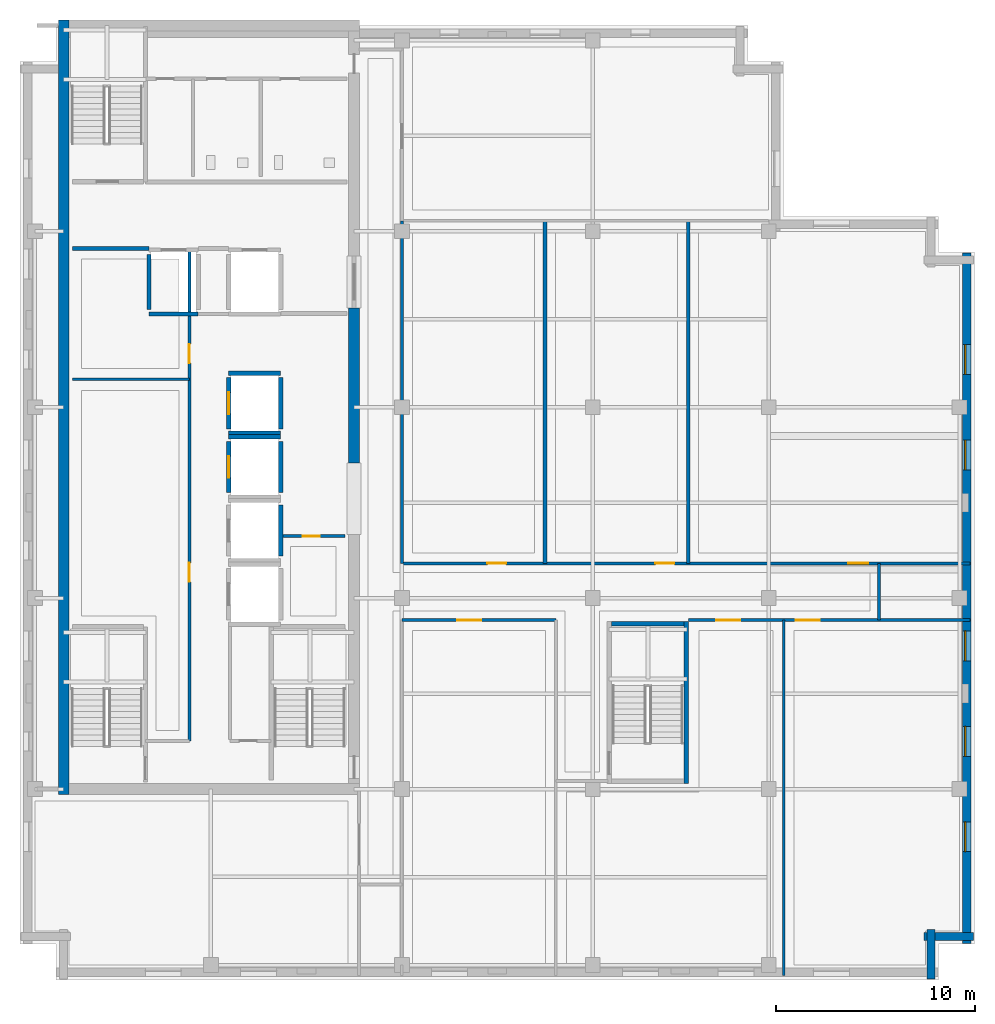
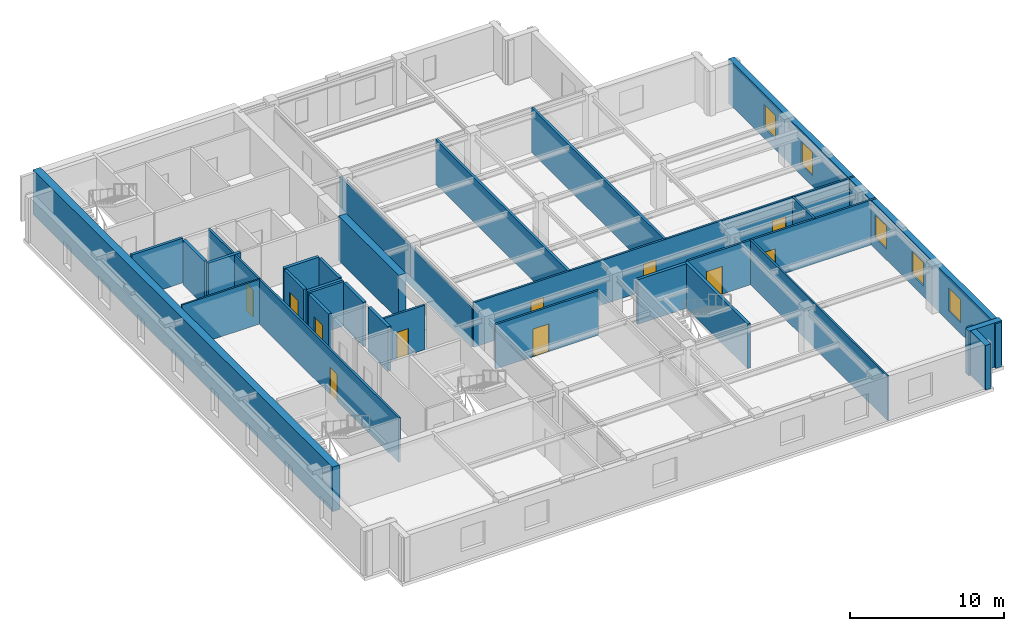
# One storey, part 4 of 10: 29 walls, 11 doors, 5 windows, 16 openings.
"""IFC4 building model written with IfcOpenShell, lengths in metres."""

from ifc_helpers import new_model, si_unit, direction, frame, frame_2d, origin, place, context, subcontext, project, spatial, rectangle, extrude, material, layer, layer_set, type_object, element, fill, save


model = new_model("IFC4")

# Units and contexts
model_context = context("Model", 3, precision=1e-05, world=origin(), true_north=direction((0.0, 1.0)))
body_context = subcontext(model_context, "Body", "Model", "MODEL_VIEW")
ifc_project = project(units=[si_unit("LENGTHUNIT", "METRE"), si_unit("AREAUNIT", "SQUARE_METRE"), si_unit("VOLUMEUNIT", "CUBIC_METRE"), si_unit("PLANEANGLEUNIT", "RADIAN"), si_unit("MASSUNIT", "GRAM", prefix="KILO")], contexts=[model_context])

# Site, building, storey
site_placement = place(None, origin())
site = spatial("IfcSite", under=ifc_project, at=site_placement, CompositionType="ELEMENT")
building_placement = place(site_placement, origin())
building = spatial("IfcBuilding", under=site, at=building_placement, Name="Norrvale University Quadrangle", CompositionType="ELEMENT")
storey_placement = place(building_placement, frame((0.0, 0.0, 273.39990234375)))
storey = spatial("IfcBuildingStorey", under=building, at=storey_placement, Name="L69", CompositionType="ELEMENT", Elevation=273.39990234375)

# Walls
ifc_material_1 = material(Name="Buff Norman Clay Brick Masonry", Category="masonry")
ifc_layer_1 = layer(ifc_material_1, 0.419921875, Name="Buff Norman Clay Brick Masonry")
ifc_layer_set_1 = layer_set([ifc_layer_1], Name="Buff Norman Clay Brick Masonry")
wall_type_1 = type_object("IfcWallType", Name="Wall Buff Brick 420", PredefinedType="SOLIDWALL", material=ifc_layer_set_1)
for number, where, z_axis, x_axis, name in (
    (1, (45.81005859375, 0.0400390625, 0.0), (0.0, 0.0, 1.0), (0.0, 1.0, 0.0), "Exterior Brick Facade Wall L69-02.1"),
    (2, (45.4599609375, 2.18994140625, 0.0), (0.0, 0.0, 1.0), (1.0, 0.0, 0.0), "Exterior Brick Facade Wall L69-03.1"),
):
    element("IfcWall", number, at=place(storey_placement, frame(where, z_axis=z_axis, x_axis=x_axis)), inside=storey, type_object=wall_type_1, Name=name, PredefinedType="SOLIDWALL", context=body_context, shape_type="SweptSolid", body=[
        extrude(rectangle(XDim=2.5, YDim=0.419921875, at=frame_2d((1.25, 0.0))), origin(), (0.0, 0.0, 1.0), 3.5400390625),
    ])

# Wall, openings, windows
wall_1_placement = place(storey_placement, frame((47.610107421875, 1.840087890625, 0.0), z_axis=(0.0, 0.0, 1.0), x_axis=(0.0, 1.0, 0.0)))
wall_1 = element("IfcWall", 3, at=wall_1_placement, inside=storey, type_object=wall_type_1, Name="Exterior Brick Facade Wall L69-04.1", PredefinedType="SOLIDWALL", context=body_context, shape_type="SweptSolid", body=[
    extrude(rectangle(XDim=34.719970703125, YDim=0.419921875, at=frame_2d((17.35986328125, 0.0))), origin(), (0.0, 0.0, 1.0), 3.5400390625),
])
opening_1_placement = place(wall_1_placement, frame((4.610107421875, 0.0, 0.85009765625)))
opening_1 = element("IfcOpeningElement", 4, at=opening_1_placement, cuts=wall_1, Name="Opening W03", PredefinedType="OPENING", context=body_context, shape_type="SweptSolid", body=[
    extrude(rectangle(XDim=1.5, YDim=1.85009765625, at=frame_2d((0.75, 0.925048828125))), frame((0.0, 0.221923828125, 0.0), z_axis=(0.0, -1.0, 0.0), x_axis=(1.0, 0.0, 0.0)), (0.0, 0.0, 1.0), 0.44384765625),
])
opening_2_placement = place(wall_1_placement, frame((9.409912109375, 0.0, 0.85009765625)))
opening_2 = element("IfcOpeningElement", 5, at=opening_2_placement, cuts=wall_1, Name="Opening W03", PredefinedType="OPENING", context=body_context, shape_type="SweptSolid", body=[
    extrude(rectangle(XDim=1.5, YDim=1.85009765625, at=frame_2d((0.75, 0.925048828125))), frame((0.0, 0.221923828125, 0.0), z_axis=(0.0, -1.0, 0.0), x_axis=(1.0, 0.0, 0.0)), (0.0, 0.0, 1.0), 0.44384765625),
])
opening_3_placement = place(wall_1_placement, frame((14.2099609375, 0.0, 0.85009765625)))
opening_3 = element("IfcOpeningElement", 6, at=opening_3_placement, cuts=wall_1, Name="Opening W03", PredefinedType="OPENING", context=body_context, shape_type="SweptSolid", body=[
    extrude(rectangle(XDim=1.5, YDim=1.85009765625, at=frame_2d((0.75, 0.925048828125))), frame((0.0, 0.221923828125, 0.0), z_axis=(0.0, -1.0, 0.0), x_axis=(1.0, 0.0, 0.0)), (0.0, 0.0, 1.0), 0.44384765625),
])
opening_4_placement = place(wall_1_placement, frame((23.81005859375, 0.0, 0.85009765625)))
opening_4 = element("IfcOpeningElement", 7, at=opening_4_placement, cuts=wall_1, Name="Opening W03", PredefinedType="OPENING", context=body_context, shape_type="SweptSolid", body=[
    extrude(rectangle(XDim=1.5, YDim=1.85009765625, at=frame_2d((0.75, 0.925048828125))), frame((0.0, 0.221923828125, 0.0), z_axis=(0.0, -1.0, 0.0), x_axis=(1.0, 0.0, 0.0)), (0.0, 0.0, 1.0), 0.44384765625),
])
opening_5_placement = place(wall_1_placement, frame((28.610107421875, 0.0, 0.85009765625)))
opening_5 = element("IfcOpeningElement", 8, at=opening_5_placement, cuts=wall_1, Name="Opening W03", PredefinedType="OPENING", context=body_context, shape_type="SweptSolid", body=[
    extrude(rectangle(XDim=1.5, YDim=1.85009765625, at=frame_2d((0.75, 0.925048828125))), frame((0.0, 0.221923828125, 0.0), z_axis=(0.0, -1.0, 0.0), x_axis=(1.0, 0.0, 0.0)), (0.0, 0.0, 1.0), 0.44384765625),
])
ifc_material_2 = material(Name="Triple Low-E Argon Glazing", Category="glass")
window_type = type_object("IfcWindowType", Name="Window Studio 1500x2300", PartitioningType="DOUBLE_PANEL_VERTICAL", PredefinedType="WINDOW", material=ifc_material_2)
window_1_placement = place(opening_1_placement, origin())
window_1 = element("IfcWindow", 9, at=window_1_placement, inside=storey, type_object=window_type, Name="Window Studio 1500x2300 WIN-L69-E04-1-01", OverallHeight=1.85009765625, OverallWidth=1.5, PartitioningType="DOUBLE_PANEL_VERTICAL", PredefinedType="WINDOW", context=body_context, shape_type="SweptSolid", body=[
    extrude(rectangle(XDim=1.5, YDim=1.85009765625, at=frame_2d((0.75, 0.925048828125))), frame((0.0, 0.110107421875, 0.0), z_axis=(0.0, -1.0, 0.0), x_axis=(1.0, 0.0, 0.0)), (0.0, 0.0, 1.0), 0.06005859375),
])
fill(opening_1, window_1)
window_2_placement = place(opening_2_placement, origin())
window_2 = element("IfcWindow", 10, at=window_2_placement, inside=storey, type_object=window_type, Name="Window Studio 1500x2300 WIN-L69-E04-1-02", OverallHeight=1.85009765625, OverallWidth=1.5, PartitioningType="DOUBLE_PANEL_VERTICAL", PredefinedType="WINDOW", context=body_context, shape_type="SweptSolid", body=[
    extrude(rectangle(XDim=1.5, YDim=1.85009765625, at=frame_2d((0.75, 0.925048828125))), frame((0.0, 0.110107421875, 0.0), z_axis=(0.0, -1.0, 0.0), x_axis=(1.0, 0.0, 0.0)), (0.0, 0.0, 1.0), 0.06005859375),
])
fill(opening_2, window_2)
window_3_placement = place(opening_3_placement, origin())
window_3 = element("IfcWindow", 11, at=window_3_placement, inside=storey, type_object=window_type, Name="Window Studio 1500x2300 WIN-L69-E04-1-03", OverallHeight=1.85009765625, OverallWidth=1.5, PartitioningType="DOUBLE_PANEL_VERTICAL", PredefinedType="WINDOW", context=body_context, shape_type="SweptSolid", body=[
    extrude(rectangle(XDim=1.5, YDim=1.85009765625, at=frame_2d((0.75, 0.925048828125))), frame((0.0, 0.110107421875, 0.0), z_axis=(0.0, -1.0, 0.0), x_axis=(1.0, 0.0, 0.0)), (0.0, 0.0, 1.0), 0.06005859375),
])
fill(opening_3, window_3)
window_4_placement = place(opening_4_placement, origin())
window_4 = element("IfcWindow", 12, at=window_4_placement, inside=storey, type_object=window_type, Name="Window Studio 1500x2300 WIN-L69-E04-1-04", OverallHeight=1.85009765625, OverallWidth=1.5, PartitioningType="DOUBLE_PANEL_VERTICAL", PredefinedType="WINDOW", context=body_context, shape_type="SweptSolid", body=[
    extrude(rectangle(XDim=1.5, YDim=1.85009765625, at=frame_2d((0.75, 0.925048828125))), frame((0.0, 0.110107421875, 0.0), z_axis=(0.0, -1.0, 0.0), x_axis=(1.0, 0.0, 0.0)), (0.0, 0.0, 1.0), 0.06005859375),
])
fill(opening_4, window_4)
window_5_placement = place(opening_5_placement, origin())
window_5 = element("IfcWindow", 13, at=window_5_placement, inside=storey, type_object=window_type, Name="Window Studio 1500x2300 WIN-L69-E04-1-05", OverallHeight=1.85009765625, OverallWidth=1.5, PartitioningType="DOUBLE_PANEL_VERTICAL", PredefinedType="WINDOW", context=body_context, shape_type="SweptSolid", body=[
    extrude(rectangle(XDim=1.5, YDim=1.85009765625, at=frame_2d((0.75, 0.925048828125))), frame((0.0, 0.110107421875, 0.0), z_axis=(0.0, -1.0, 0.0), x_axis=(1.0, 0.0, 0.0)), (0.0, 0.0, 1.0), 0.06005859375),
])
fill(opening_5, window_5)

# Walls
ifc_material_3 = material(Name="Concrete C60/75", Category="concrete")
ifc_layer_2 = layer(ifc_material_3, 0.550048828125, Name="Concrete C60/75")
ifc_layer_set_2 = layer_set([ifc_layer_2], Name="Concrete C60/75")
wall_type_2 = type_object("IfcWallType", Name="Wall Core 550", PredefinedType="SHEAR", material=ifc_layer_set_2)
wall_2_placement = place(storey_placement, frame((2.199951171875, 9.324951171875, 0.0), z_axis=(0.0, 0.0, 1.0), x_axis=(0.0, 1.0, 0.0)))
element("IfcWall", 14, at=wall_2_placement, inside=storey, type_object=wall_type_2, Name="Tower Core Shear Wall L69-W", PredefinedType="SHEAR", context=body_context, shape_type="SweptSolid", body=[
    extrude(rectangle(XDim=38.949951171875, YDim=0.550048828125, at=frame_2d((19.47509765625, 0.0))), origin(), (0.0, 0.0, 1.0), 3.5400390625),
])
wall_3_placement = place(storey_placement, frame((16.800048828125, 26.0, 0.0), z_axis=(0.0, 0.0, 1.0), x_axis=(0.0, 1.0, 0.0)))
element("IfcWall", 15, at=wall_3_placement, inside=storey, type_object=wall_type_2, Name="Tower Core Shear Wall L69-E2", PredefinedType="SHEAR", context=body_context, shape_type="SweptSolid", body=[
    extrude(rectangle(XDim=7.800048828125, YDim=0.550048828125, at=frame_2d((3.89990234375, 0.0))), origin(), (0.0, 0.0, 1.0), 3.5400390625),
])
ifc_material_4 = material(Name="Standard Academic Gypsum Partition")
ifc_layer_3 = layer(ifc_material_4, 0.125, Name="Standard Academic Gypsum Partition")
ifc_layer_set_3 = layer_set([ifc_layer_3], Name="Standard Academic Gypsum Partition")
wall_type_3 = type_object("IfcWallType", Name="Wall Gypsum Academic 125", PredefinedType="PARTITIONING", material=ifc_layer_set_3)
wall_4_placement = place(storey_placement, frame((2.64990234375, 30.199951171875, 0.0), z_axis=(0.0, 0.0, 1.0), x_axis=(1.0, 0.0, 0.0)))
element("IfcWall", 16, at=wall_4_placement, inside=storey, type_object=wall_type_3, Name="Interior Partition WL-L69-REC-M", PredefinedType="PARTITIONING", context=body_context, shape_type="SweptSolid", body=[
    extrude(rectangle(XDim=5.8701171875, YDim=0.125, at=frame_2d((2.93505859375, 0.0))), origin(), (0.0, 0.0, 1.0), 3.5400390625),
])
wall_5_placement = place(storey_placement, frame((38.39990234375, 0.219970703125, 0.0), z_axis=(0.0, 0.0, 1.0), x_axis=(0.0, 1.0, 0.0)))
element("IfcWall", 17, at=wall_5_placement, inside=storey, type_object=wall_type_3, Name="Interior Partition WL-L69-SEP2", PredefinedType="PARTITIONING", context=body_context, shape_type="SweptSolid", body=[
    extrude(rectangle(XDim=17.880126953125, YDim=0.125, at=frame_2d((8.93994140625, 0.0))), origin(), (0.0, 0.0, 1.0), 3.5400390625),
])

# Wall, opening, door
ifc_material_5 = material(Name="Fire-Rated Gypsum Stud Partition")
ifc_layer_4 = layer(ifc_material_5, 0.14990234375, Name="Fire-Rated Gypsum Stud Partition")
ifc_layer_set_4 = layer_set([ifc_layer_4], Name="Fire-Rated Gypsum Stud Partition")
wall_type_4 = type_object("IfcWallType", Name="Wall Gypsum Corridor 150", PredefinedType="PARTITIONING", material=ifc_layer_set_4)
wall_6_placement = place(storey_placement, frame((13.22509765625, 22.320068359375, 0.0), z_axis=(0.0, 0.0, 1.0), x_axis=(1.0, 0.0, 0.0)))
wall_6 = element("IfcWall", 18, at=wall_6_placement, inside=storey, type_object=wall_type_4, Name="Interior Partition WL-L69-JAN-N", PredefinedType="PARTITIONING", context=body_context, shape_type="SweptSolid", body=[
    extrude(rectangle(XDim=3.119873046875, YDim=0.14990234375, at=frame_2d((1.56005859375, 0.0))), origin(), (0.0, 0.0, 1.0), 3.5400390625),
])
opening_6_placement = place(wall_6_placement, frame((1.0, 0.0, 0.0)))
opening_6 = element("IfcOpeningElement", 19, at=opening_6_placement, cuts=wall_6, Name="Opening D10", PredefinedType="OPENING", context=body_context, shape_type="SweptSolid", body=[
    extrude(rectangle(XDim=0.85009765625, YDim=2.10009765625, at=frame_2d((0.425048828125, 1.050048828125))), frame((0.0, 0.0869140625, 0.0), z_axis=(0.0, -1.0, 0.0), x_axis=(1.0, 0.0, 0.0)), (0.0, 0.0, 1.0), 0.173828125),
])
ifc_material_6 = material(Name="Hollow Steel 350W Riser Fire Door", Category="steel")
door_type_1 = type_object("IfcDoorType", Name="Door Riser 850x2100", OperationType="NOTDEFINED", PredefinedType="DOOR", material=ifc_material_6)
door_1_placement = place(opening_6_placement, origin())
door_1 = element("IfcDoor", 20, at=door_1_placement, inside=storey, type_object=door_type_1, Name="Door Riser 850x2100 DR-L69-JAN", OperationType="SINGLE_SWING_LEFT", OverallHeight=2.10009765625, OverallWidth=0.85009765625, PredefinedType="DOOR", context=body_context, shape_type="SweptSolid", body=[
    extrude(rectangle(XDim=0.85009765625, YDim=2.10009765625, at=frame_2d((0.425048828125, 1.050048828125))), frame((0.0, 0.02490234375, 0.0), z_axis=(0.0, -1.0, 0.0), x_axis=(1.0, 0.0, 0.0)), (0.0, 0.0, 1.0), 0.050048828125),
])
fill(opening_6, door_1)

# Wall, openings, doors
wall_7_placement = place(storey_placement, frame((8.52001953125, 12.02001953125, 0.0), z_axis=(0.0, 0.0, 1.0), x_axis=(0.0, 1.0, 0.0)))
wall_7 = element("IfcWall", 21, at=wall_7_placement, inside=storey, type_object=wall_type_4, Name="Interior Partition WL-L69-REC-E", PredefinedType="PARTITIONING", context=body_context, shape_type="SweptSolid", body=[
    extrude(rectangle(XDim=24.760009765625, YDim=0.14990234375, at=frame_2d((12.3798828125, 0.0))), origin(), (0.0, 0.0, 1.0), 3.5400390625),
])
opening_7_placement = place(wall_7_placement, frame((8.0, 0.0, 0.0)))
opening_7 = element("IfcOpeningElement", 22, at=opening_7_placement, cuts=wall_7, Name="Opening D07", PredefinedType="OPENING", context=body_context, shape_type="SweptSolid", body=[
    extrude(rectangle(XDim=0.949951171875, YDim=2.14990234375, at=frame_2d((0.47509765625, 1.074951171875))), frame((0.0, 0.0869140625, 0.0), z_axis=(0.0, -1.0, 0.0), x_axis=(1.0, 0.0, 0.0)), (0.0, 0.0, 1.0), 0.173828125),
])
opening_8_placement = place(wall_7_placement, frame((19.0, 0.0, 0.0)))
opening_8 = element("IfcOpeningElement", 23, at=opening_8_placement, cuts=wall_7, Name="Opening D07", PredefinedType="OPENING", context=body_context, shape_type="SweptSolid", body=[
    extrude(rectangle(XDim=0.949951171875, YDim=2.14990234375, at=frame_2d((0.47509765625, 1.074951171875))), frame((0.0, 0.0869140625, 0.0), z_axis=(0.0, -1.0, 0.0), x_axis=(1.0, 0.0, 0.0)), (0.0, 0.0, 1.0), 0.173828125),
])
ifc_material_7 = material(Name="Solid-Core Maple Door", Category="wood")
door_type_2 = type_object("IfcDoorType", Name="Door Office 950x2150", OperationType="NOTDEFINED", PredefinedType="DOOR", material=ifc_material_7)
door_2_placement = place(opening_7_placement, origin())
door_2 = element("IfcDoor", 24, at=door_2_placement, inside=storey, type_object=door_type_2, Name="Door Office 950x2150 DR-L69-REC1", OperationType="SINGLE_SWING_LEFT", OverallHeight=2.14990234375, OverallWidth=0.949951171875, PredefinedType="DOOR", context=body_context, shape_type="SweptSolid", body=[
    extrude(rectangle(XDim=0.949951171875, YDim=2.14990234375, at=frame_2d((0.47509765625, 1.074951171875))), frame((0.0, 0.02490234375, 0.0), z_axis=(0.0, -1.0, 0.0), x_axis=(1.0, 0.0, 0.0)), (0.0, 0.0, 1.0), 0.050048828125),
])
fill(opening_7, door_2)
door_3_placement = place(opening_8_placement, origin())
door_3 = element("IfcDoor", 25, at=door_3_placement, inside=storey, type_object=door_type_2, Name="Door Office 950x2150 DR-L69-REC2", OperationType="SINGLE_SWING_RIGHT", OverallHeight=2.14990234375, OverallWidth=0.949951171875, PredefinedType="DOOR", context=body_context, shape_type="SweptSolid", body=[
    extrude(rectangle(XDim=0.949951171875, YDim=2.14990234375, at=frame_2d((0.47509765625, 1.074951171875))), frame((0.0, 0.02490234375, 0.0), z_axis=(0.0, -1.0, 0.0), x_axis=(1.0, 0.0, 0.0)), (0.0, 0.0, 1.0), 0.050048828125),
])
fill(opening_8, door_3)

# Wall
wall_8_placement = place(storey_placement, frame((43.199951171875, 18.10009765625, 0.0), z_axis=(0.0, 0.0, 1.0), x_axis=(0.0, 1.0, 0.0)))
element("IfcWall", 26, at=wall_8_placement, inside=storey, type_object=wall_type_4, Name="Interior Partition WL-L69-CESP-E", PredefinedType="PARTITIONING", context=body_context, shape_type="SweptSolid", body=[
    extrude(rectangle(XDim=2.849853515625, YDim=0.14990234375, at=frame_2d((1.4248046875, 0.0))), origin(), (0.0, 0.0, 1.0), 3.5400390625),
])

# Wall, opening, door
wall_9_placement = place(storey_placement, frame((19.199951171875, 18.10009765625, 0.0), z_axis=(0.0, 0.0, 1.0), x_axis=(1.0, 0.0, 0.0)))
wall_9 = element("IfcWall", 27, at=wall_9_placement, inside=storey, type_object=wall_type_4, Name="Interior Partition WL-L69-SEW1", PredefinedType="PARTITIONING", context=body_context, shape_type="SweptSolid", body=[
    extrude(rectangle(XDim=7.75, YDim=0.14990234375, at=frame_2d((3.875, 0.0))), origin(), (0.0, 0.0, 1.0), 3.5400390625),
])
opening_9_placement = place(wall_9_placement, frame((2.800048828125, 0.0, 0.0)))
opening_9 = element("IfcOpeningElement", 28, at=opening_9_placement, cuts=wall_9, Name="Opening D05", PredefinedType="OPENING", context=body_context, shape_type="SweptSolid", body=[
    extrude(rectangle(XDim=1.199951171875, YDim=2.199951171875, at=frame_2d((0.60009765625, 1.10009765625))), frame((0.0, 0.0869140625, 0.0), z_axis=(0.0, -1.0, 0.0), x_axis=(1.0, 0.0, 0.0)), (0.0, 0.0, 1.0), 0.173828125),
])
ifc_material_8 = material(Name="Acoustic Oak Classroom Door", Category="wood")
door_type_3 = type_object("IfcDoorType", Name="Door Classroom 1200x2200", OperationType="NOTDEFINED", PredefinedType="DOOR", material=ifc_material_8)
door_4_placement = place(opening_9_placement, origin())
door_4 = element("IfcDoor", 29, at=door_4_placement, inside=storey, type_object=door_type_3, Name="Door Classroom 1200x2200 DR-L69-SE1", OperationType="SINGLE_SWING_LEFT", OverallHeight=2.199951171875, OverallWidth=1.199951171875, PredefinedType="DOOR", context=body_context, shape_type="SweptSolid", body=[
    extrude(rectangle(XDim=1.199951171875, YDim=2.199951171875, at=frame_2d((0.60009765625, 1.10009765625))), frame((0.0, 0.02490234375, 0.0), z_axis=(0.0, -1.0, 0.0), x_axis=(1.0, 0.0, 0.0)), (0.0, 0.0, 1.0), 0.050048828125),
])
fill(opening_9, door_4)

# Wall, openings, doors
wall_10_placement = place(storey_placement, frame((33.6201171875, 18.10009765625, 0.0), z_axis=(0.0, 0.0, 1.0), x_axis=(1.0, 0.0, 0.0)))
wall_10 = element("IfcWall", 30, at=wall_10_placement, inside=storey, type_object=wall_type_4, Name="Interior Partition WL-L69-SEW2", PredefinedType="PARTITIONING", context=body_context, shape_type="SweptSolid", body=[
    extrude(rectangle(XDim=14.159912109375, YDim=0.14990234375, at=frame_2d((7.080078125, 0.0))), origin(), (0.0, 0.0, 1.0), 3.5400390625),
])
opening_10_placement = place(wall_10_placement, frame((1.39990234375, 0.0, 0.0)))
opening_10 = element("IfcOpeningElement", 31, at=opening_10_placement, cuts=wall_10, Name="Opening D05", PredefinedType="OPENING", context=body_context, shape_type="SweptSolid", body=[
    extrude(rectangle(XDim=1.199951171875, YDim=2.199951171875, at=frame_2d((0.60009765625, 1.10009765625))), frame((0.0, 0.0869140625, 0.0), z_axis=(0.0, -1.0, 0.0), x_axis=(1.0, 0.0, 0.0)), (0.0, 0.0, 1.0), 0.173828125),
])
opening_11_placement = place(wall_10_placement, frame((5.39990234375, 0.0, 0.0)))
opening_11 = element("IfcOpeningElement", 32, at=opening_11_placement, cuts=wall_10, Name="Opening D05", PredefinedType="OPENING", context=body_context, shape_type="SweptSolid", body=[
    extrude(rectangle(XDim=1.199951171875, YDim=2.199951171875, at=frame_2d((0.60009765625, 1.10009765625))), frame((0.0, 0.0869140625, 0.0), z_axis=(0.0, -1.0, 0.0), x_axis=(1.0, 0.0, 0.0)), (0.0, 0.0, 1.0), 0.173828125),
])
door_5_placement = place(opening_10_placement, origin())
door_5 = element("IfcDoor", 33, at=door_5_placement, inside=storey, type_object=door_type_3, Name="Door Classroom 1200x2200 DR-L69-SE2", OperationType="SINGLE_SWING_RIGHT", OverallHeight=2.199951171875, OverallWidth=1.199951171875, PredefinedType="DOOR", context=body_context, shape_type="SweptSolid", body=[
    extrude(rectangle(XDim=1.199951171875, YDim=2.199951171875, at=frame_2d((0.60009765625, 1.10009765625))), frame((0.0, 0.02490234375, 0.0), z_axis=(0.0, -1.0, 0.0), x_axis=(1.0, 0.0, 0.0)), (0.0, 0.0, 1.0), 0.050048828125),
])
fill(opening_10, door_5)
door_6_placement = place(opening_11_placement, origin())
door_6 = element("IfcDoor", 34, at=door_6_placement, inside=storey, type_object=door_type_3, Name="Door Classroom 1200x2200 DR-L69-SE3", OperationType="SINGLE_SWING_LEFT", OverallHeight=2.199951171875, OverallWidth=1.199951171875, PredefinedType="DOOR", context=body_context, shape_type="SweptSolid", body=[
    extrude(rectangle(XDim=1.199951171875, YDim=2.199951171875, at=frame_2d((0.60009765625, 1.10009765625))), frame((0.0, 0.02490234375, 0.0), z_axis=(0.0, -1.0, 0.0), x_axis=(1.0, 0.0, 0.0)), (0.0, 0.0, 1.0), 0.050048828125),
])
fill(opening_11, door_6)

wall_11_placement = place(storey_placement, frame((19.199951171875, 20.949951171875, 0.0), z_axis=(0.0, 0.0, 1.0), x_axis=(1.0, 0.0, 0.0)))
wall_11 = element("IfcWall", 35, at=wall_11_placement, inside=storey, type_object=wall_type_4, Name="Interior Partition WL-L69-MECW", PredefinedType="PARTITIONING", context=body_context, shape_type="SweptSolid", body=[
    extrude(rectangle(XDim=28.580078125, YDim=0.14990234375, at=frame_2d((14.2900390625, 0.0))), origin(), (0.0, 0.0, 1.0), 3.5400390625),
])
opening_12_placement = place(wall_11_placement, frame((4.300048828125, 0.0, 0.0)))
opening_12 = element("IfcOpeningElement", 36, at=opening_12_placement, cuts=wall_11, Name="Opening D07", PredefinedType="OPENING", context=body_context, shape_type="SweptSolid", body=[
    extrude(rectangle(XDim=0.949951171875, YDim=2.14990234375, at=frame_2d((0.47509765625, 1.074951171875))), frame((0.0, 0.0869140625, 0.0), z_axis=(0.0, -1.0, 0.0), x_axis=(1.0, 0.0, 0.0)), (0.0, 0.0, 1.0), 0.173828125),
])
opening_13_placement = place(wall_11_placement, frame((12.75, 0.0, 0.0)))
opening_13 = element("IfcOpeningElement", 37, at=opening_13_placement, cuts=wall_11, Name="Opening D07", PredefinedType="OPENING", context=body_context, shape_type="SweptSolid", body=[
    extrude(rectangle(XDim=0.949951171875, YDim=2.14990234375, at=frame_2d((0.47509765625, 1.074951171875))), frame((0.0, 0.0869140625, 0.0), z_axis=(0.0, -1.0, 0.0), x_axis=(1.0, 0.0, 0.0)), (0.0, 0.0, 1.0), 0.173828125),
])
opening_14_placement = place(wall_11_placement, frame((22.449951171875, 0.0, 0.0)))
opening_14 = element("IfcOpeningElement", 38, at=opening_14_placement, cuts=wall_11, Name="Opening D04", PredefinedType="OPENING", context=body_context, shape_type="SweptSolid", body=[
    extrude(rectangle(XDim=1.0, YDim=2.199951171875, at=frame_2d((0.5, 1.10009765625))), frame((0.0, 0.0869140625, 0.0), z_axis=(0.0, -1.0, 0.0), x_axis=(1.0, 0.0, 0.0)), (0.0, 0.0, 1.0), 0.173828125),
])
ifc_material_9 = material(Name="Solid-Core Oak Fire Door", Category="wood")
door_type_4 = type_object("IfcDoorType", Name="Door Corridor 1000x2200", OperationType="NOTDEFINED", PredefinedType="DOOR", material=ifc_material_9)
door_7_placement = place(opening_14_placement, origin())
door_7 = element("IfcDoor", 39, at=door_7_placement, inside=storey, type_object=door_type_4, Name="Door Corridor 1000x2200 DR-L69-ME03", OperationType="SINGLE_SWING_LEFT", OverallHeight=2.199951171875, OverallWidth=1.0, PredefinedType="DOOR", context=body_context, shape_type="SweptSolid", body=[
    extrude(rectangle(XDim=1.0, YDim=2.199951171875, at=frame_2d((0.5, 1.10009765625))), frame((0.0, 0.02490234375, 0.0), z_axis=(0.0, -1.0, 0.0), x_axis=(1.0, 0.0, 0.0)), (0.0, 0.0, 1.0), 0.050048828125),
])
fill(opening_14, door_7)
door_8_placement = place(opening_12_placement, origin())
door_8 = element("IfcDoor", 40, at=door_8_placement, inside=storey, type_object=door_type_2, Name="Door Office 950x2150 DR-L69-ME01", OperationType="SINGLE_SWING_LEFT", OverallHeight=2.14990234375, OverallWidth=0.949951171875, PredefinedType="DOOR", context=body_context, shape_type="SweptSolid", body=[
    extrude(rectangle(XDim=0.949951171875, YDim=2.14990234375, at=frame_2d((0.47509765625, 1.074951171875))), frame((0.0, 0.02490234375, 0.0), z_axis=(0.0, -1.0, 0.0), x_axis=(1.0, 0.0, 0.0)), (0.0, 0.0, 1.0), 0.050048828125),
])
fill(opening_12, door_8)
door_9_placement = place(opening_13_placement, origin())
door_9 = element("IfcDoor", 41, at=door_9_placement, inside=storey, type_object=door_type_2, Name="Door Office 950x2150 DR-L69-ME02", OperationType="SINGLE_SWING_RIGHT", OverallHeight=2.14990234375, OverallWidth=0.949951171875, PredefinedType="DOOR", context=body_context, shape_type="SweptSolid", body=[
    extrude(rectangle(XDim=0.949951171875, YDim=2.14990234375, at=frame_2d((0.47509765625, 1.074951171875))), frame((0.0, 0.02490234375, 0.0), z_axis=(0.0, -1.0, 0.0), x_axis=(1.0, 0.0, 0.0)), (0.0, 0.0, 1.0), 0.050048828125),
])
fill(opening_13, door_9)

# Walls
wall_12_placement = place(storey_placement, frame((19.199951171875, 20.949951171875, 0.0), z_axis=(0.0, 0.0, 1.0), x_axis=(0.0, 1.0, 0.0)))
element("IfcWall", 42, at=wall_12_placement, inside=storey, type_object=wall_type_4, Name="Interior Partition WL-L69-ME-W", PredefinedType="PARTITIONING", context=body_context, shape_type="SweptSolid", body=[
    extrude(rectangle(XDim=17.22998046875, YDim=0.14990234375, at=frame_2d((8.614990234375, 0.0))), origin(), (0.0, 0.0, 1.0), 3.123046875),
])
ifc_material_10 = material(Name="Acoustic Double-Stud Gypsum Partition")
ifc_layer_5 = layer(ifc_material_10, 0.179931640625, Name="Acoustic Double-Stud Gypsum Partition")
ifc_layer_set_5 = layer_set([ifc_layer_5], Name="Acoustic Double-Stud Gypsum Partition")
wall_type_5 = type_object("IfcWallType", Name="Wall Gypsum Lecture 180", PredefinedType="PARTITIONING", material=ifc_layer_set_5)
for number, where, z_axis, x_axis, name in (
    (43, (26.39990234375, 20.949951171875, 0.0), (0.0, 0.0, 1.0), (0.0, 1.0, 0.0), "Interior Partition WL-L69-MEP01"),
    (44, (33.60009765625, 20.949951171875, 0.0), (0.0, 0.0, 1.0), (0.0, 1.0, 0.0), "Interior Partition WL-L69-MEP02"),
):
    element("IfcWall", number, at=place(storey_placement, frame(where, z_axis=z_axis, x_axis=x_axis)), inside=storey, type_object=wall_type_5, Name=name, PredefinedType="PARTITIONING", context=body_context, shape_type="SweptSolid", body=[
        extrude(rectangle(XDim=17.22998046875, YDim=0.179931640625, at=frame_2d((8.614990234375, 0.0))), origin(), (0.0, 0.0, 1.0), 3.5400390625),
    ])
ifc_material_11 = material(Name="Concrete Blockwork 20 MPa Rated Wall", Category="masonry")
ifc_layer_6 = layer(ifc_material_11, 0.199951171875, Name="Concrete Blockwork 20 MPa Rated Wall")
ifc_layer_set_6 = layer_set([ifc_layer_6], Name="Concrete Blockwork 20 MPa Rated Wall")
wall_type_6 = type_object("IfcWallType", Name="Wall Lobby 200", PredefinedType="SOLIDWALL", material=ifc_layer_set_6)
wall_13_placement = place(storey_placement, frame((2.64990234375, 36.780029296875, 0.0), z_axis=(0.0, 0.0, 1.0), x_axis=(1.0, 0.0, 0.0)))
element("IfcWall", 45, at=wall_13_placement, inside=storey, type_object=wall_type_6, Name="Interior Partition WL-L69-FF1", PredefinedType="SOLIDWALL", context=body_context, shape_type="SweptSolid", body=[
    extrude(rectangle(XDim=3.830078125, YDim=0.199951171875, at=frame_2d((1.9150390625, 0.0))), origin(), (0.0, 0.0, 1.0), 3.5400390625),
])
ifc_material_12 = material(Name="Concrete Blockwork 20 MPa Fire Shaft", Category="masonry")
ifc_layer_7 = layer(ifc_material_12, 0.219970703125, Name="Concrete Blockwork 20 MPa Fire Shaft")
ifc_layer_set_7 = layer_set([ifc_layer_7], Name="Concrete Blockwork 20 MPa Fire Shaft")
wall_type_7 = type_object("IfcWallType", Name="Wall Shaft 220", PredefinedType="SOLIDWALL", material=ifc_layer_set_7)
wall_14_placement = place(storey_placement, frame((33.510009765625, 9.8798828125, 0.0), z_axis=(0.0, 0.0, 1.0), x_axis=(0.0, 1.0, 0.0)))
element("IfcWall", 46, at=wall_14_placement, inside=storey, type_object=wall_type_7, Name="Stair ST-04 East Shaft Wall L69", PredefinedType="SOLIDWALL", context=body_context, shape_type="SweptSolid", body=[
    extrude(rectangle(XDim=8.14013671875, YDim=0.219970703125, at=frame_2d((4.070068359375, 0.0))), origin(), (0.0, 0.0, 1.0), 3.5400390625),
])
wall_15_placement = place(storey_placement, frame((29.75, 17.909912109375, 0.0), z_axis=(0.0, 0.0, 1.0), x_axis=(1.0, 0.0, 0.0)))
element("IfcWall", 47, at=wall_15_placement, inside=storey, type_object=wall_type_7, Name="Stair ST-04 North Shaft Wall L69", PredefinedType="SOLIDWALL", context=body_context, shape_type="SweptSolid", body=[
    extrude(rectangle(XDim=3.64990234375, YDim=0.219970703125, at=frame_2d((1.824951171875, 0.0))), origin(), (0.0, 0.0, 1.0), 3.5400390625),
])
wall_16_placement = place(storey_placement, frame((13.110107421875, 21.31005859375, 0.0), z_axis=(0.0, 0.0, 1.0), x_axis=(0.0, 1.0, 0.0)))
element("IfcWall", 48, at=wall_16_placement, inside=storey, type_object=wall_type_7, Name="Hoistway PL-06 East Wall L69", PredefinedType="SOLIDWALL", context=body_context, shape_type="SweptSolid", body=[
    extrude(rectangle(XDim=2.579833984375, YDim=0.219970703125, at=frame_2d((1.2900390625, 0.0))), origin(), (0.0, 0.0, 1.0), 3.5400390625),
])

# Wall, opening, door
wall_17_placement = place(storey_placement, frame((10.489990234375, 24.510009765625, 0.0), z_axis=(0.0, 0.0, 1.0), x_axis=(0.0, 1.0, 0.0)))
wall_17 = element("IfcWall", 49, at=wall_17_placement, inside=storey, type_object=wall_type_7, Name="Hoistway PL-07 West Wall L69", PredefinedType="SOLIDWALL", context=body_context, shape_type="SweptSolid", body=[
    extrude(rectangle(XDim=2.580078125, YDim=0.219970703125, at=frame_2d((1.2900390625, 0.0))), origin(), (0.0, 0.0, 1.0), 3.5400390625),
])
opening_15_placement = place(wall_17_placement, frame((0.739990234375, 0.0, 0.0)))
opening_15 = element("IfcOpeningElement", 50, at=opening_15_placement, cuts=wall_17, Name="Opening LD1", PredefinedType="OPENING", context=body_context, shape_type="SweptSolid", body=[
    extrude(rectangle(XDim=1.10009765625, YDim=2.199951171875, at=frame_2d((0.550048828125, 1.10009765625))), frame((0.0, 0.1220703125, 0.0), z_axis=(0.0, -1.0, 0.0), x_axis=(1.0, 0.0, 0.0)), (0.0, 0.0, 1.0), 0.243896484375),
])
ifc_material_13 = material(Name="Stainless Steel 316L Lift Landing Door", Category="steel")
door_type_5 = type_object("IfcDoorType", Name="Door Lift Landing 1100x2200", OperationType="DOUBLE_DOOR_SLIDING", PredefinedType="DOOR", material=ifc_material_13)
door_10_placement = place(opening_15_placement, origin())
door_10 = element("IfcDoor", 51, at=door_10_placement, inside=storey, type_object=door_type_5, Name="Elevator Landing Door DR-L69-PL-07", OperationType="DOUBLE_DOOR_SLIDING", OverallHeight=2.199951171875, OverallWidth=1.10009765625, PredefinedType="DOOR", context=body_context, shape_type="SweptSolid", body=[
    extrude(rectangle(XDim=1.10009765625, YDim=2.199951171875, at=frame_2d((0.550048828125, 1.10009765625))), frame((0.0, 0.02490234375, 0.0), z_axis=(0.0, -1.0, 0.0), x_axis=(1.0, 0.0, 0.0)), (0.0, 0.0, 1.0), 0.050048828125),
])
fill(opening_15, door_10)

# Walls
wall_18_placement = place(storey_placement, frame((13.110107421875, 24.510009765625, 0.0), z_axis=(0.0, 0.0, 1.0), x_axis=(0.0, 1.0, 0.0)))
element("IfcWall", 52, at=wall_18_placement, inside=storey, type_object=wall_type_7, Name="Hoistway PL-07 East Wall L69", PredefinedType="SOLIDWALL", context=body_context, shape_type="SweptSolid", body=[
    extrude(rectangle(XDim=2.580078125, YDim=0.219970703125, at=frame_2d((1.2900390625, 0.0))), origin(), (0.0, 0.0, 1.0), 3.5400390625),
])
wall_19_placement = place(storey_placement, frame((10.489990234375, 27.31005859375, 0.0), z_axis=(0.0, 0.0, 1.0), x_axis=(1.0, 0.0, 0.0)))
element("IfcWall", 53, at=wall_19_placement, inside=storey, type_object=wall_type_7, Name="Hoistway PL-07 North Wall L69", PredefinedType="SOLIDWALL", context=body_context, shape_type="SweptSolid", body=[
    extrude(rectangle(XDim=2.6201171875, YDim=0.219970703125, at=frame_2d((1.31005859375, 0.0))), origin(), (0.0, 0.0, 1.0), 3.5400390625),
])

# Wall, opening, door
wall_20_placement = place(storey_placement, frame((10.489990234375, 27.7099609375, 0.0), z_axis=(0.0, 0.0, 1.0), x_axis=(0.0, 1.0, 0.0)))
wall_20 = element("IfcWall", 54, at=wall_20_placement, inside=storey, type_object=wall_type_7, Name="Hoistway PL-08 West Wall L69", PredefinedType="SOLIDWALL", context=body_context, shape_type="SweptSolid", body=[
    extrude(rectangle(XDim=2.580078125, YDim=0.219970703125, at=frame_2d((1.2900390625, 0.0))), origin(), (0.0, 0.0, 1.0), 3.5400390625),
])
opening_16_placement = place(wall_20_placement, frame((0.739990234375, 0.0, 0.0)))
opening_16 = element("IfcOpeningElement", 55, at=opening_16_placement, cuts=wall_20, Name="Opening LD1", PredefinedType="OPENING", context=body_context, shape_type="SweptSolid", body=[
    extrude(rectangle(XDim=1.10009765625, YDim=2.199951171875, at=frame_2d((0.550048828125, 1.10009765625))), frame((0.0, 0.1220703125, 0.0), z_axis=(0.0, -1.0, 0.0), x_axis=(1.0, 0.0, 0.0)), (0.0, 0.0, 1.0), 0.243896484375),
])
door_11_placement = place(opening_16_placement, origin())
door_11 = element("IfcDoor", 56, at=door_11_placement, inside=storey, type_object=door_type_5, Name="Elevator Landing Door DR-L69-PL-08", OperationType="DOUBLE_DOOR_SLIDING", OverallHeight=2.199951171875, OverallWidth=1.10009765625, PredefinedType="DOOR", context=body_context, shape_type="SweptSolid", body=[
    extrude(rectangle(XDim=1.10009765625, YDim=2.199951171875, at=frame_2d((0.550048828125, 1.10009765625))), frame((0.0, 0.02490234375, 0.0), z_axis=(0.0, -1.0, 0.0), x_axis=(1.0, 0.0, 0.0)), (0.0, 0.0, 1.0), 0.050048828125),
])
fill(opening_16, door_11)

# Walls
wall_21_placement = place(storey_placement, frame((13.110107421875, 27.7099609375, 0.0), z_axis=(0.0, 0.0, 1.0), x_axis=(0.0, 1.0, 0.0)))
element("IfcWall", 57, at=wall_21_placement, inside=storey, type_object=wall_type_7, Name="Hoistway PL-08 East Wall L69", PredefinedType="SOLIDWALL", context=body_context, shape_type="SweptSolid", body=[
    extrude(rectangle(XDim=2.580078125, YDim=0.219970703125, at=frame_2d((1.2900390625, 0.0))), origin(), (0.0, 0.0, 1.0), 3.5400390625),
])
for number, where, z_axis, x_axis, name in (
    (58, (10.489990234375, 27.489990234375, 0.0), (0.0, 0.0, 1.0), (1.0, 0.0, 0.0), "Hoistway PL-08 South Wall L69"),
    (59, (10.489990234375, 30.510009765625, 0.0), (0.0, 0.0, 1.0), (1.0, 0.0, 0.0), "Hoistway PL-08 North Wall L69"),
):
    element("IfcWall", number, at=place(storey_placement, frame(where, z_axis=z_axis, x_axis=x_axis)), inside=storey, type_object=wall_type_7, Name=name, PredefinedType="SOLIDWALL", context=body_context, shape_type="SweptSolid", body=[
        extrude(rectangle(XDim=2.6201171875, YDim=0.219970703125, at=frame_2d((1.31005859375, 0.0))), origin(), (0.0, 0.0, 1.0), 3.5400390625),
    ])
wall_22_placement = place(storey_placement, frame((6.489990234375, 33.7099609375, 0.0), z_axis=(0.0, 0.0, 1.0), x_axis=(0.0, 1.0, 0.0)))
element("IfcWall", 60, at=wall_22_placement, inside=storey, type_object=wall_type_7, Name="Hoistway FFL-01 West Wall L69", PredefinedType="SOLIDWALL", context=body_context, shape_type="SweptSolid", body=[
    extrude(rectangle(XDim=2.780029296875, YDim=0.219970703125, at=frame_2d((1.39013671875, 0.0))), origin(), (0.0, 0.0, 1.0), 3.5400390625),
])
wall_23_placement = place(storey_placement, frame((6.489990234375, 33.489990234375, 0.0), z_axis=(0.0, 0.0, 1.0), x_axis=(1.0, 0.0, 0.0)))
element("IfcWall", 61, at=wall_23_placement, inside=storey, type_object=wall_type_7, Name="Hoistway FFL-01 South Wall L69", PredefinedType="SOLIDWALL", context=body_context, shape_type="SweptSolid", body=[
    extrude(rectangle(XDim=2.469970703125, YDim=0.219970703125, at=frame_2d((1.23486328125, 0.0))), origin(), (0.0, 0.0, 1.0), 3.5400390625),
])

save(model, "model.ifc")
